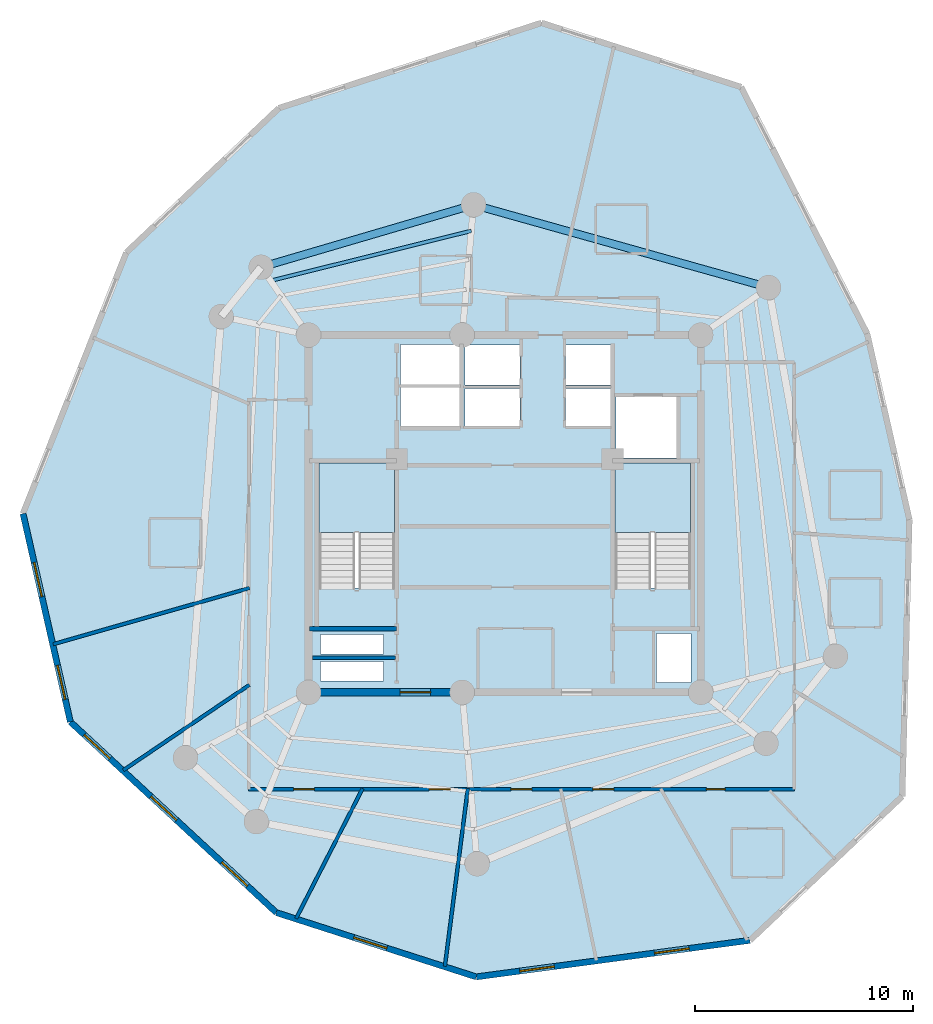
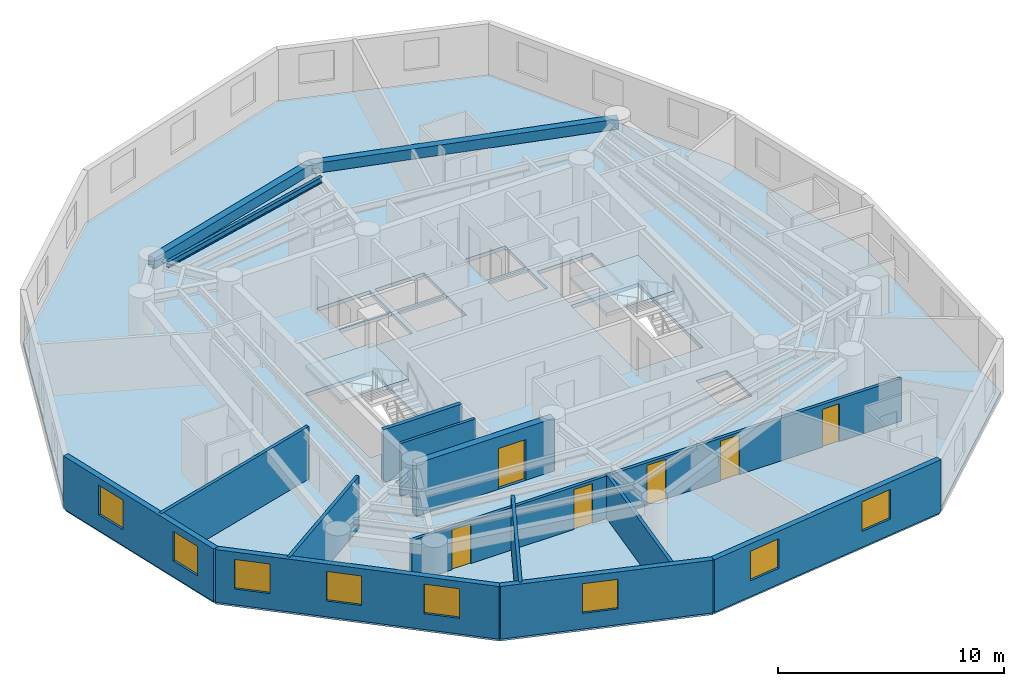
# One storey, part 2 of 7: 12 walls, 8 windows, 6 doors, 3 beams, 3 slabs, 14 openings, 2 elements without a shape of their own.
"""IFC4 building model written with IfcOpenShell, lengths in metres."""

from ifc_helpers import new_model, si_unit, direction, frame, frame_2d, origin, origin_with_axes, origin_2d, place, context, subcontext, project, spatial, polyline, rectangle, i_section, outline, extrude, source, transform, mapped, material, layer, layer_set, material_profile, profile_set, type_object, element, fill, aggregate, save


model = new_model("IFC4")

# Units and contexts
model_context = context("Model", 3, precision=1e-05, world=origin(), true_north=direction((0.0, 1.0)))
body_context = subcontext(model_context, "Body", "Model", "MODEL_VIEW")
ifc_project = project(units=[si_unit("LENGTHUNIT", "METRE"), si_unit("AREAUNIT", "SQUARE_METRE"), si_unit("VOLUMEUNIT", "CUBIC_METRE"), si_unit("PLANEANGLEUNIT", "RADIAN"), si_unit("MASSUNIT", "GRAM", prefix="KILO")], contexts=[model_context])

# Site, building, storey
site_placement = place(None, origin())
site = spatial("IfcSite", under=ifc_project, at=site_placement, CompositionType="ELEMENT")
building_placement = place(site_placement, origin())
building = spatial("IfcBuilding", under=site, at=building_placement, Name="Karkom Vertical University and Central Library", CompositionType="ELEMENT")
storey_placement = place(building_placement, frame((0.0, 0.0, 219.949951171875)))
storey = spatial("IfcBuildingStorey", under=building, at=storey_placement, Name="L64", CompositionType="ELEMENT", Elevation=219.949951171875)

# Beams
ifc_material_1 = material(Name="Precast concrete C45/55", Category="concrete")
ifc_material_profile_1 = material_profile(ifc_material_1, rectangle(XDim=0.35009765625, YDim=0.550048828125, at=origin_2d()), Name="SPB-350x550")
ifc_profile_set_1 = profile_set([ifc_material_profile_1], Name="Precast concrete C45/55")
beam_type_1 = type_object("IfcBeamType", Name="STR-BM-SP-2", PredefinedType="SPANDREL", material=ifc_profile_set_1)
shared_shape_1 = source(origin_with_axes(), body_context, "Body", "SweptSolid", [
    extrude(rectangle(XDim=0.35009765625, YDim=0.550048828125, at=origin_2d()), origin(), (0.0, 0.0, 1.0), 14.0625),
])
beam_1_placement = place(storey_placement, frame((40.613037109375, 36.8798828125, 2.574951171875), z_axis=(-0.962854853531, 0.270019501207, 0.0), x_axis=(-0.270019501207, -0.962854853531, 0.0)))
element("IfcBeam", 1, at=beam_1_placement, inside=storey, type_object=beam_type_1, Name="Level 64 Perimeter Spandrel Beam 02", PredefinedType="SPANDREL", context=body_context, shape_type="MappedRepresentation", body=[
    mapped(shared_shape_1, transform((0.0, 0.0, 0.0), scale=1.0)),
])
shared_shape_2 = source(origin_with_axes(), body_context, "Body", "SweptSolid", [
    extrude(rectangle(XDim=0.35009765625, YDim=0.550048828125, at=origin_2d()), origin(), (0.0, 0.0, 1.0), 10.164794921875),
])
beam_2_placement = place(storey_placement, frame((27.072998046875, 40.677001953125, 2.574951171875), z_axis=(-0.959485124536, -0.281759286971, 0.0), x_axis=(0.281759286971, -0.959485124536, 0.0)))
element("IfcBeam", 2, at=beam_2_placement, inside=storey, type_object=beam_type_1, Name="Level 64 Perimeter Spandrel Beam 03", PredefinedType="SPANDREL", context=body_context, shape_type="MappedRepresentation", body=[
    mapped(shared_shape_2, transform((0.0, 0.0, 0.0), scale=1.0)),
])
ifc_material_2 = material(Name="Steel S355", Category="steel")
ifc_material_profile_2 = material_profile(ifc_material_2, i_section(OverallWidth=0.159912109375, OverallDepth=0.330078125, WebThickness=0.007568359375, FlangeThickness=0.011474609375, FilletRadius=0.01806640625, at=origin_2d()), Name="IPE 330")
ifc_profile_set_2 = profile_set([ifc_material_profile_2], Name="Steel S355")
beam_type_2 = type_object("IfcBeamType", Name="STR-BM-SB-IPE330", PredefinedType="BEAM", material=ifc_profile_set_2)
shared_shape_3 = source(origin_with_axes(), body_context, "Body", "SweptSolid", [
    extrude(i_section(OverallWidth=0.159912109375, OverallDepth=0.330078125, WebThickness=0.007568359375, FlangeThickness=0.011474609375, FilletRadius=0.01806640625, at=origin_2d()), origin(), (0.0, 0.0, 1.0), 9.4931640625),
])
beam_3_placement = place(storey_placement, frame((26.968505859375, 39.481689453125, 2.68505859375), z_axis=(-0.970435275293, -0.241361505767, 0.0), x_axis=(0.241361505767, -0.970435275293, 0.0)))
element("IfcBeam", 3, at=beam_3_placement, inside=storey, type_object=beam_type_2, Name="Level 64 Secondary Composite Floor Beam 3.03", PredefinedType="BEAM", context=body_context, shape_type="MappedRepresentation", body=[
    mapped(shared_shape_3, transform((0.0, 0.0, 0.0), scale=1.0)),
])

# Stair, slab
ifc_material_3 = material(Name="Concrete C45/55", Category="concrete")
stair_type = type_object("IfcStairType", Name="INT-STR-ST-MAIN", PredefinedType="HALF_TURN_STAIR", material=ifc_material_3)
stair_1_placement = place(storey_placement, origin())
stair_1 = element("IfcStair", 4, at=stair_1_placement, inside=storey, type_object=stair_type, Name="Level 64 Tower Protected Exit Stair ST-1", PredefinedType="HALF_TURN_STAIR")
ifc_layer_1 = layer(ifc_material_3, 0.199951171875)
ifc_layer_set_1 = layer_set([ifc_layer_1], Name="Concrete C45/55")
slab_type_1 = type_object("IfcSlabType", Name="INT-SLB-LANDING", PredefinedType="LANDING", material=ifc_layer_set_1)
slab_1_placement = place(storey_placement, frame((0.0, 0.0, 1.324951171875)))
slab_1 = element("IfcSlab", 5, at=slab_1_placement, type_object=slab_type_1, Name="ST-1 landing 1", PredefinedType="LANDING", context=body_context, shape_type="SweptSolid", body=[
    extrude(outline(polyline([(23.43994140625, 25.6298828125), (23.43994140625, 28.820068359375), (19.97998046875, 28.820068359375), (19.97998046875, 25.6298828125), (23.43994140625, 25.6298828125)])), origin(), (0.0, 0.0, 1.0), 0.2001953125),
])
aggregate(stair_1, [slab_1])

stair_2_placement = place(storey_placement, origin())
stair_2 = element("IfcStair", 6, at=stair_2_placement, inside=storey, type_object=stair_type, Name="Level 64 Tower Protected Exit Stair ST-2", PredefinedType="HALF_TURN_STAIR")
slab_2_placement = place(storey_placement, frame((0.0, 0.0, 1.324951171875)))
slab_2 = element("IfcSlab", 7, at=slab_2_placement, type_object=slab_type_1, Name="ST-2 landing 1", PredefinedType="LANDING", context=body_context, shape_type="SweptSolid", body=[
    extrude(outline(polyline([(37.02001953125, 25.6298828125), (37.02001953125, 28.820068359375), (33.56005859375, 28.820068359375), (33.56005859375, 25.6298828125), (37.02001953125, 25.6298828125)])), origin(), (0.0, 0.0, 1.0), 0.2001953125),
])
aggregate(stair_2, [slab_2])

# Slab
ifc_material_4 = material(Name="Concrete C40/50", Category="concrete")
ifc_layer_2 = layer(ifc_material_4, 0.199951171875)
ifc_layer_set_2 = layer_set([ifc_layer_2], Name="Concrete C40/50")
slab_type_2 = type_object("IfcSlabType", Name="STR-SLB-FLR-200", PredefinedType="FLOOR", material=ifc_layer_set_2)
slab_3_placement = place(storey_placement, frame((0.0, 0.0, -0.199951171875)))
element("IfcSlab", 8, at=slab_3_placement, inside=storey, type_object=slab_type_2, Name="Level 64 Tower Structural Floor Slab", PredefinedType="FLOOR", context=body_context, shape_type="SweptSolid", body=[
    extrude(outline(polyline([(6.3935546875, 26.501953125), (8.564453125, 16.9462890625), (18.0185546875, 8.189453125), (27.195556640625, 5.239013671875), (39.7578125, 6.91796875), (46.743896484375, 13.529541015625), (47.0703125, 26.233154296875), (45.132080078125, 34.7646484375), (39.348876953125, 46.080078125), (30.19140625, 49.024169921875), (18.136962890625, 45.110107421875), (11.1357421875, 38.484130859375), (6.3935546875, 26.501953125)]), holes=[polyline([(19.97998046875, 23.0849609375), (23.43994140625, 23.0849609375), (23.43994140625, 28.820068359375), (19.97998046875, 28.820068359375), (19.97998046875, 23.0849609375)]), polyline([(33.56005859375, 23.0849609375), (37.02001953125, 23.0849609375), (37.02001953125, 28.820068359375), (33.56005859375, 28.820068359375), (33.56005859375, 23.0849609375)]), polyline([(26.679931640625, 30.5), (29.199951171875, 30.5), (29.199951171875, 32.25), (26.679931640625, 32.25), (26.679931640625, 30.5)]), polyline([(26.679931640625, 32.39990234375), (29.199951171875, 32.39990234375), (29.199951171875, 34.25), (26.679931640625, 34.25), (26.679931640625, 32.39990234375)]), polyline([(31.300048828125, 30.5), (33.35009765625, 30.5), (33.35009765625, 32.25), (31.300048828125, 32.25), (31.300048828125, 30.5)]), polyline([(31.300048828125, 32.39990234375), (33.35009765625, 32.39990234375), (33.35009765625, 34.25), (31.300048828125, 34.25), (31.300048828125, 32.39990234375)]), polyline([(23.719970703125, 30.47998046875), (26.429931640625, 30.47998046875), (26.429931640625, 32.320068359375), (23.719970703125, 32.320068359375), (23.719970703125, 30.47998046875)]), polyline([(23.719970703125, 32.419921875), (26.429931640625, 32.419921875), (26.429931640625, 34.260009765625), (23.719970703125, 34.260009765625), (23.719970703125, 32.419921875)]), polyline([(33.60009765625, 29.050048828125), (36.39990234375, 29.050048828125), (36.39990234375, 31.85009765625), (33.60009765625, 31.85009765625), (33.60009765625, 29.050048828125)]), polyline([(20.050048828125, 18.820068359375), (22.949951171875, 18.820068359375), (22.949951171875, 19.719970703125), (20.050048828125, 19.719970703125), (20.050048828125, 18.820068359375)]), polyline([(20.050048828125, 20.06005859375), (22.949951171875, 20.06005859375), (22.949951171875, 20.9599609375), (20.050048828125, 20.9599609375), (20.050048828125, 20.06005859375)]), polyline([(35.4599609375, 18.760009765625), (37.0400390625, 18.760009765625), (37.0400390625, 21.010009765625), (35.4599609375, 21.010009765625), (35.4599609375, 18.760009765625)])]), origin(), (0.0, 0.0, 1.0), 0.199951171875),
])

# Wall, openings, windows
ifc_material_5 = material(Name="Brick-faced precast concrete C45/55", Category="masonry")
ifc_layer_3 = layer(ifc_material_5, 0.280029296875)
ifc_layer_set_3 = layer_set([ifc_layer_3], Name="Brick-faced precast concrete C45/55")
wall_type_1 = type_object("IfcWallType", Name="ENV-WL-BRK-280", PredefinedType="SOLIDWALL", material=ifc_layer_set_3)
wall_1_placement = place(storey_placement, frame((6.3935546875, 26.501953125, 0.0), z_axis=(0.0, 0.0, 1.0), x_axis=(0.221539262032, -0.975151452534, 0.0)))
wall_1 = element("IfcWall", 9, at=wall_1_placement, inside=storey, type_object=wall_type_1, Name="Level 64 Brick-Faced Precast Facade Wall 01", PredefinedType="SOLIDWALL", context=body_context, shape_type="SweptSolid", body=[
    extrude(rectangle(XDim=9.799072265625, YDim=0.280029296875, at=frame_2d((4.8994140625, 0.0))), origin(), (0.0, 0.0, 1.0), 2.85009765625),
])
opening_1_placement = place(wall_1_placement, frame((2.30419921875, 0.0, 0.85009765625)))
opening_1 = element("IfcOpeningElement", 10, at=opening_1_placement, cuts=wall_1, Name="Opening WN-10", PredefinedType="OPENING", context=body_context, shape_type="SweptSolid", body=[
    extrude(rectangle(XDim=1.60009765625, YDim=1.60009765625, at=frame_2d((0.800048828125, 0.800048828125))), frame((0.0, 0.14990234375, 0.0), z_axis=(0.0, -1.0, 0.0), x_axis=(1.0, 0.0, 0.0)), (0.0, 0.0, 1.0), 0.300048828125),
])
opening_2_placement = place(wall_1_placement, frame((7.143798828125, 0.0, 0.85009765625)))
opening_2 = element("IfcOpeningElement", 11, at=opening_2_placement, cuts=wall_1, Name="Opening WN-10", PredefinedType="OPENING", context=body_context, shape_type="SweptSolid", body=[
    extrude(rectangle(XDim=1.60009765625, YDim=1.60009765625, at=frame_2d((0.800048828125, 0.800048828125))), frame((0.0, 0.14990234375, 0.0), z_axis=(0.0, -1.0, 0.0), x_axis=(1.0, 0.0, 0.0)), (0.0, 0.0, 1.0), 0.300048828125),
])
ifc_material_6 = material(Name="Aluminium thermal-break frame with solar-control IGU", Category="aluminium")
window_type = type_object("IfcWindowType", Name="ENV-WIN-WN-10", PartitioningType="SINGLE_PANEL", PredefinedType="WINDOW", material=ifc_material_6)
shared_shape_4 = source(origin_with_axes(), body_context, "Body", "SweptSolid", [
    extrude(rectangle(XDim=1.60009765625, YDim=1.60009765625, at=frame_2d((0.800048828125, 0.800048828125))), frame((0.0, 0.030029296875, 0.0), z_axis=(0.0, -1.0, 0.0), x_axis=(1.0, 0.0, 0.0)), (0.0, 0.0, 1.0), 0.06005859375),
])
window_1_placement = place(opening_1_placement, origin())
window_1 = element("IfcWindow", 12, at=window_1_placement, inside=storey, type_object=window_type, Name="Level 64 Punched Window 1.1", OverallHeight=1.60009765625, OverallWidth=1.60009765625, PartitioningType="SINGLE_PANEL", PredefinedType="WINDOW", context=body_context, shape_type="MappedRepresentation", body=[
    mapped(shared_shape_4, transform((0.0, 0.0, 0.0), scale=1.0)),
])
fill(opening_1, window_1)
window_2_placement = place(opening_2_placement, origin())
window_2 = element("IfcWindow", 13, at=window_2_placement, inside=storey, type_object=window_type, Name="Level 64 Punched Window 1.2", OverallHeight=1.60009765625, OverallWidth=1.60009765625, PartitioningType="SINGLE_PANEL", PredefinedType="WINDOW", context=body_context, shape_type="MappedRepresentation", body=[
    mapped(shared_shape_4, transform((0.0, 0.0, 0.0), scale=1.0)),
])
fill(opening_2, window_2)

wall_2_placement = place(storey_placement, frame((8.564453125, 16.9462890625, 0.0), z_axis=(0.0, 0.0, 1.0), x_axis=(0.733643128565, -0.679534958563, 0.0)))
wall_2 = element("IfcWall", 14, at=wall_2_placement, inside=storey, type_object=wall_type_1, Name="Level 64 Brick-Faced Precast Facade Wall 02", PredefinedType="SOLIDWALL", context=body_context, shape_type="SweptSolid", body=[
    extrude(rectangle(XDim=12.886474609375, YDim=0.280029296875, at=frame_2d((6.443359375, 0.0))), origin(), (0.0, 0.0, 1.0), 2.85009765625),
])
opening_3_placement = place(wall_2_placement, frame((0.881103515625, 0.0, 0.85009765625)))
opening_3 = element("IfcOpeningElement", 15, at=opening_3_placement, cuts=wall_2, Name="Opening WN-10", PredefinedType="OPENING", context=body_context, shape_type="SweptSolid", body=[
    extrude(rectangle(XDim=1.60009765625, YDim=1.60009765625, at=frame_2d((0.800048828125, 0.800048828125))), frame((0.0, 0.14990234375, 0.0), z_axis=(0.0, -1.0, 0.0), x_axis=(1.0, 0.0, 0.0)), (0.0, 0.0, 1.0), 0.300048828125),
])
opening_4_placement = place(wall_2_placement, frame((5.043212890625, 0.0, 0.85009765625)))
opening_4 = element("IfcOpeningElement", 16, at=opening_4_placement, cuts=wall_2, Name="Opening WN-10", PredefinedType="OPENING", context=body_context, shape_type="SweptSolid", body=[
    extrude(rectangle(XDim=1.60009765625, YDim=1.60009765625, at=frame_2d((0.800048828125, 0.800048828125))), frame((0.0, 0.14990234375, 0.0), z_axis=(0.0, -1.0, 0.0), x_axis=(1.0, 0.0, 0.0)), (0.0, 0.0, 1.0), 0.300048828125),
])
opening_5_placement = place(wall_2_placement, frame((9.4853515625, 0.0, 0.85009765625)))
opening_5 = element("IfcOpeningElement", 17, at=opening_5_placement, cuts=wall_2, Name="Opening WN-10", PredefinedType="OPENING", context=body_context, shape_type="SweptSolid", body=[
    extrude(rectangle(XDim=1.60009765625, YDim=1.60009765625, at=frame_2d((0.800048828125, 0.800048828125))), frame((0.0, 0.14990234375, 0.0), z_axis=(0.0, -1.0, 0.0), x_axis=(1.0, 0.0, 0.0)), (0.0, 0.0, 1.0), 0.300048828125),
])
window_3_placement = place(opening_3_placement, origin())
window_3 = element("IfcWindow", 18, at=window_3_placement, inside=storey, type_object=window_type, Name="Level 64 Punched Window 2.1", OverallHeight=1.60009765625, OverallWidth=1.60009765625, PartitioningType="SINGLE_PANEL", PredefinedType="WINDOW", context=body_context, shape_type="MappedRepresentation", body=[
    mapped(shared_shape_4, transform((0.0, 0.0, 0.0), scale=1.0)),
])
fill(opening_3, window_3)
window_4_placement = place(opening_4_placement, origin())
window_4 = element("IfcWindow", 19, at=window_4_placement, inside=storey, type_object=window_type, Name="Level 64 Punched Window 2.2", OverallHeight=1.60009765625, OverallWidth=1.60009765625, PartitioningType="SINGLE_PANEL", PredefinedType="WINDOW", context=body_context, shape_type="MappedRepresentation", body=[
    mapped(shared_shape_4, transform((0.0, 0.0, 0.0), scale=1.0)),
])
fill(opening_4, window_4)
window_5_placement = place(opening_5_placement, origin())
window_5 = element("IfcWindow", 20, at=window_5_placement, inside=storey, type_object=window_type, Name="Level 64 Punched Window 2.3", OverallHeight=1.60009765625, OverallWidth=1.60009765625, PartitioningType="SINGLE_PANEL", PredefinedType="WINDOW", context=body_context, shape_type="MappedRepresentation", body=[
    mapped(shared_shape_4, transform((0.0, 0.0, 0.0), scale=1.0)),
])
fill(opening_5, window_5)

# Wall, opening, window
wall_3_placement = place(storey_placement, frame((18.0185546875, 8.189453125, 0.0), z_axis=(0.0, 0.0, 1.0), x_axis=(0.95200774136, -0.306073945951, 0.0)))
wall_3 = element("IfcWall", 21, at=wall_3_placement, inside=storey, type_object=wall_type_1, Name="Level 64 Brick-Faced Precast Facade Wall 03", PredefinedType="SOLIDWALL", context=body_context, shape_type="SweptSolid", body=[
    extrude(rectangle(XDim=9.6396484375, YDim=0.280029296875, at=frame_2d((4.81982421875, 0.0))), origin(), (0.0, 0.0, 1.0), 2.85009765625),
])
opening_6_placement = place(wall_3_placement, frame((3.7333984375, 0.0, 0.85009765625)))
opening_6 = element("IfcOpeningElement", 22, at=opening_6_placement, cuts=wall_3, Name="Opening WN-10", PredefinedType="OPENING", context=body_context, shape_type="SweptSolid", body=[
    extrude(rectangle(XDim=1.60009765625, YDim=1.60009765625, at=frame_2d((0.800048828125, 0.800048828125))), frame((0.0, 0.14990234375, 0.0), z_axis=(0.0, -1.0, 0.0), x_axis=(1.0, 0.0, 0.0)), (0.0, 0.0, 1.0), 0.300048828125),
])
window_6_placement = place(opening_6_placement, origin())
window_6 = element("IfcWindow", 23, at=window_6_placement, inside=storey, type_object=window_type, Name="Level 64 Punched Window 3.1", OverallHeight=1.60009765625, OverallWidth=1.60009765625, PartitioningType="SINGLE_PANEL", PredefinedType="WINDOW", context=body_context, shape_type="MappedRepresentation", body=[
    mapped(shared_shape_4, transform((0.0, 0.0, 0.0), scale=1.0)),
])
fill(opening_6, window_6)

# Wall, openings, windows
wall_4_placement = place(storey_placement, frame((27.195556640625, 5.239013671875, 0.0), z_axis=(0.0, 0.0, 1.0), x_axis=(0.991186634331, 0.132472849758, 0.0)))
wall_4 = element("IfcWall", 24, at=wall_4_placement, inside=storey, type_object=wall_type_1, Name="Level 64 Brick-Faced Precast Facade Wall 04", PredefinedType="SOLIDWALL", context=body_context, shape_type="SweptSolid", body=[
    extrude(rectangle(XDim=12.674072265625, YDim=0.280029296875, at=frame_2d((6.3369140625, 0.0))), origin(), (0.0, 0.0, 1.0), 2.85009765625),
])
opening_7_placement = place(wall_4_placement, frame((2.011474609375, 0.0, 0.85009765625)))
opening_7 = element("IfcOpeningElement", 25, at=opening_7_placement, cuts=wall_4, Name="Opening WN-10", PredefinedType="OPENING", context=body_context, shape_type="SweptSolid", body=[
    extrude(rectangle(XDim=1.60009765625, YDim=1.60009765625, at=frame_2d((0.800048828125, 0.800048828125))), frame((0.0, 0.14990234375, 0.0), z_axis=(0.0, -1.0, 0.0), x_axis=(1.0, 0.0, 0.0)), (0.0, 0.0, 1.0), 0.300048828125),
])
opening_8_placement = place(wall_4_placement, frame((8.252197265625, 0.0, 0.85009765625)))
opening_8 = element("IfcOpeningElement", 26, at=opening_8_placement, cuts=wall_4, Name="Opening WN-10", PredefinedType="OPENING", context=body_context, shape_type="SweptSolid", body=[
    extrude(rectangle(XDim=1.60009765625, YDim=1.60009765625, at=frame_2d((0.800048828125, 0.800048828125))), frame((0.0, 0.14990234375, 0.0), z_axis=(0.0, -1.0, 0.0), x_axis=(1.0, 0.0, 0.0)), (0.0, 0.0, 1.0), 0.300048828125),
])
window_7_placement = place(opening_7_placement, origin())
window_7 = element("IfcWindow", 27, at=window_7_placement, inside=storey, type_object=window_type, Name="Level 64 Punched Window 4.1", OverallHeight=1.60009765625, OverallWidth=1.60009765625, PartitioningType="SINGLE_PANEL", PredefinedType="WINDOW", context=body_context, shape_type="MappedRepresentation", body=[
    mapped(shared_shape_4, transform((0.0, 0.0, 0.0), scale=1.0)),
])
fill(opening_7, window_7)
window_8_placement = place(opening_8_placement, origin())
window_8 = element("IfcWindow", 28, at=window_8_placement, inside=storey, type_object=window_type, Name="Level 64 Punched Window 4.2", OverallHeight=1.60009765625, OverallWidth=1.60009765625, PartitioningType="SINGLE_PANEL", PredefinedType="WINDOW", context=body_context, shape_type="MappedRepresentation", body=[
    mapped(shared_shape_4, transform((0.0, 0.0, 0.0), scale=1.0)),
])
fill(opening_8, window_8)

# Wall, openings, doors
ifc_material_7 = material(Name="Insulated metal-stud drywall 160mm", Category="gypsum")
ifc_layer_4 = layer(ifc_material_7, 0.159912109375)
ifc_layer_set_4 = layer_set([ifc_layer_4], Name="Insulated metal-stud drywall 160mm")
wall_type_2 = type_object("IfcWallType", Name="INT-WL-COR-160", PredefinedType="PARTITIONING", material=ifc_layer_set_4)
wall_5_placement = place(storey_placement, frame((41.800048828125, 13.85009765625, 0.0), z_axis=(0.0, 0.0, 1.0), x_axis=(-1.0, 0.0, 0.0)))
wall_5 = element("IfcWall", 29, at=wall_5_placement, inside=storey, type_object=wall_type_2, Name="Level 64 Interior Partition Wall L64-CORW-CW-001", PredefinedType="PARTITIONING", context=body_context, shape_type="SweptSolid", body=[
    extrude(rectangle(XDim=25.050048828125, YDim=0.159912109375, at=frame_2d((12.52490234375, 0.0))), origin(), (0.0, 0.0, 1.0), 2.300048828125),
])
opening_9_placement = place(wall_5_placement, frame((22.030029296875, 0.0, 0.0)))
opening_9 = element("IfcOpeningElement", 30, at=opening_9_placement, cuts=wall_5, Name="Opening FD-RM2", PredefinedType="OPENING", context=body_context, shape_type="SweptSolid", body=[
    extrude(rectangle(XDim=0.9599609375, YDim=2.14990234375, at=frame_2d((0.47998046875, 1.074951171875))), frame((0.0, 0.08984375, 0.0), z_axis=(0.0, -1.0, 0.0), x_axis=(1.0, 0.0, 0.0)), (0.0, 0.0, 1.0), 0.179931640625),
])
opening_10_placement = place(wall_5_placement, frame((15.8076171875, 0.0, 0.0)))
opening_10 = element("IfcOpeningElement", 31, at=opening_10_placement, cuts=wall_5, Name="Opening FD-RM2", PredefinedType="OPENING", context=body_context, shape_type="SweptSolid", body=[
    extrude(rectangle(XDim=0.9599609375, YDim=2.14990234375, at=frame_2d((0.47998046875, 1.074951171875))), frame((0.0, 0.08984375, 0.0), z_axis=(0.0, -1.0, 0.0), x_axis=(1.0, 0.0, 0.0)), (0.0, 0.0, 1.0), 0.179931640625),
])
opening_11_placement = place(wall_5_placement, frame((12.050048828125, 0.0, 0.0)))
opening_11 = element("IfcOpeningElement", 32, at=opening_11_placement, cuts=wall_5, Name="Opening FD-RM2", PredefinedType="OPENING", context=body_context, shape_type="SweptSolid", body=[
    extrude(rectangle(XDim=0.9599609375, YDim=2.14990234375, at=frame_2d((0.47998046875, 1.074951171875))), frame((0.0, 0.08984375, 0.0), z_axis=(0.0, -1.0, 0.0), x_axis=(1.0, 0.0, 0.0)), (0.0, 0.0, 1.0), 0.179931640625),
])
opening_12_placement = place(wall_5_placement, frame((8.29248046875, 0.0, 0.0)))
opening_12 = element("IfcOpeningElement", 33, at=opening_12_placement, cuts=wall_5, Name="Opening FD-RM2", PredefinedType="OPENING", context=body_context, shape_type="SweptSolid", body=[
    extrude(rectangle(XDim=0.9599609375, YDim=2.14990234375, at=frame_2d((0.47998046875, 1.074951171875))), frame((0.0, 0.08984375, 0.0), z_axis=(0.0, -1.0, 0.0), x_axis=(1.0, 0.0, 0.0)), (0.0, 0.0, 1.0), 0.179931640625),
])
opening_13_placement = place(wall_5_placement, frame((3.184326171875, 0.0, 0.0)))
opening_13 = element("IfcOpeningElement", 34, at=opening_13_placement, cuts=wall_5, Name="Opening FD-BTH2", PredefinedType="OPENING", context=body_context, shape_type="SweptSolid", body=[
    extrude(rectangle(XDim=0.860107421875, YDim=2.0400390625, at=frame_2d((0.43017578125, 1.02001953125))), frame((0.0, 0.08984375, 0.0), z_axis=(0.0, -1.0, 0.0), x_axis=(1.0, 0.0, 0.0)), (0.0, 0.0, 1.0), 0.179931640625),
])
ifc_material_8 = material(Name="Fire-rated oak veneer door", Category="wood")
door_type_1 = type_object("IfcDoorType", Name="INT-DR-FRM2", OperationType="NOTDEFINED", PredefinedType="DOOR", material=ifc_material_8)
shared_shape_5 = source(origin_with_axes(), body_context, "Body", "SweptSolid", [
    extrude(rectangle(XDim=0.9599609375, YDim=2.14990234375, at=frame_2d((0.47998046875, 1.074951171875))), frame((0.0, 0.02490234375, 0.0), z_axis=(0.0, -1.0, 0.0), x_axis=(1.0, 0.0, 0.0)), (0.0, 0.0, 1.0), 0.050048828125),
])
door_1_placement = place(opening_9_placement, origin())
door_1 = element("IfcDoor", 35, at=door_1_placement, inside=storey, type_object=door_type_1, Name="Level 64 Room Entry Door 301", OperationType="SINGLE_SWING_RIGHT", OverallHeight=2.14990234375, OverallWidth=0.9599609375, PredefinedType="DOOR", context=body_context, shape_type="MappedRepresentation", body=[
    mapped(shared_shape_5, transform((0.0, 0.0, 0.0), scale=1.0)),
])
fill(opening_9, door_1)
door_2_placement = place(opening_10_placement, origin())
door_2 = element("IfcDoor", 36, at=door_2_placement, inside=storey, type_object=door_type_1, Name="Level 64 Room Entry Door 302", OperationType="SINGLE_SWING_LEFT", OverallHeight=2.14990234375, OverallWidth=0.9599609375, PredefinedType="DOOR", context=body_context, shape_type="MappedRepresentation", body=[
    mapped(shared_shape_5, transform((0.0, 0.0, 0.0), scale=1.0)),
])
fill(opening_10, door_2)
door_3_placement = place(opening_11_placement, origin())
door_3 = element("IfcDoor", 37, at=door_3_placement, inside=storey, type_object=door_type_1, Name="Level 64 Room Entry Door 303", OperationType="SINGLE_SWING_RIGHT", OverallHeight=2.14990234375, OverallWidth=0.9599609375, PredefinedType="DOOR", context=body_context, shape_type="MappedRepresentation", body=[
    mapped(shared_shape_5, transform((0.0, 0.0, 0.0), scale=1.0)),
])
fill(opening_11, door_3)
door_4_placement = place(opening_12_placement, origin())
door_4 = element("IfcDoor", 38, at=door_4_placement, inside=storey, type_object=door_type_1, Name="Level 64 Room Entry Door 304", OperationType="SINGLE_SWING_LEFT", OverallHeight=2.14990234375, OverallWidth=0.9599609375, PredefinedType="DOOR", context=body_context, shape_type="MappedRepresentation", body=[
    mapped(shared_shape_5, transform((0.0, 0.0, 0.0), scale=1.0)),
])
fill(opening_12, door_4)
ifc_material_9 = material(Name="Fire-rated moisture-resistant oak door", Category="wood")
door_type_2 = type_object("IfcDoorType", Name="INT-DR-FBTH2", OperationType="NOTDEFINED", PredefinedType="DOOR", material=ifc_material_9)
shared_shape_6 = source(origin_with_axes(), body_context, "Body", "SweptSolid", [
    extrude(rectangle(XDim=0.860107421875, YDim=2.0400390625, at=frame_2d((0.43017578125, 1.02001953125))), frame((0.0, 0.02490234375, 0.0), z_axis=(0.0, -1.0, 0.0), x_axis=(1.0, 0.0, 0.0)), (0.0, 0.0, 1.0), 0.050048828125),
])
door_5_placement = place(opening_13_placement, origin())
door_5 = element("IfcDoor", 39, at=door_5_placement, inside=storey, type_object=door_type_2, Name="Level 64 Flat L64-06 One-Bedroom Apartment Bedroom Entry Door", OperationType="SINGLE_SWING_RIGHT", OverallHeight=2.0400390625, OverallWidth=0.860107421875, PredefinedType="DOOR", context=body_context, shape_type="MappedRepresentation", body=[
    mapped(shared_shape_6, transform((0.0, 0.0, 0.0), scale=1.0)),
])
fill(opening_13, door_5)

# Walls
wall_6_placement = place(storey_placement, frame((7.780517578125, 20.510009765625, 0.0), z_axis=(0.0, 0.0, 1.0), x_axis=(0.961423640537, 0.275071960433, 0.0)))
element("IfcWall", 40, at=wall_6_placement, inside=storey, type_object=wall_type_2, Name="Level 64 Interior Partition Wall L64-PW-002", PredefinedType="PARTITIONING", context=body_context, shape_type="SweptSolid", body=[
    extrude(rectangle(XDim=9.374267578125, YDim=0.159912109375, at=frame_2d((4.68701171875, 0.0))), origin(), (0.0, 0.0, 1.0), 2.85009765625),
])
wall_7_placement = place(storey_placement, frame((26.811279296875, 13.894775390625, 0.0), z_axis=(0.0, 0.0, 1.0), x_axis=(-0.128095527958, -0.99176183417, 0.0)))
element("IfcWall", 41, at=wall_7_placement, inside=storey, type_object=wall_type_2, Name="Level 64 Interior Partition Wall L64-PW-004", PredefinedType="PARTITIONING", context=body_context, shape_type="SweptSolid", body=[
    extrude(rectangle(XDim=8.233642578125, YDim=0.159912109375, at=frame_2d((4.11669921875, 0.0))), origin(), (0.0, 0.0, 1.0), 2.35009765625),
])
wall_8_placement = place(storey_placement, frame((16.787109375, 18.64501953125, 0.0), z_axis=(0.0, 0.0, 1.0), x_axis=(-0.828133669323, -0.560530664401, 0.0)))
element("IfcWall", 42, at=wall_8_placement, inside=storey, type_object=wall_type_2, Name="Level 64 Interior Partition Wall L64-PW-001", PredefinedType="PARTITIONING", context=body_context, shape_type="SweptSolid", body=[
    extrude(rectangle(XDim=6.9892578125, YDim=0.159912109375, at=frame_2d((3.49462890625, 0.0))), origin(), (0.0, 0.0, 1.0), 2.85009765625),
])
wall_9_placement = place(storey_placement, frame((21.981201171875, 13.89013671875, 0.0), z_axis=(0.0, 0.0, 1.0), x_axis=(-0.455471104302, -0.890250567619, 0.0)))
element("IfcWall", 43, at=wall_9_placement, inside=storey, type_object=wall_type_2, Name="Level 64 Interior Partition Wall L64-PW-003", PredefinedType="PARTITIONING", context=body_context, shape_type="SweptSolid", body=[
    extrude(rectangle(XDim=6.701904296875, YDim=0.159912109375, at=frame_2d((3.35107421875, 0.0))), origin(), (0.0, 0.0, 1.0), 2.85009765625),
])
ifc_material_10 = material(Name="Metal-stud gypsum partition 140mm", Category="gypsum")
ifc_layer_5 = layer(ifc_material_10, 0.139892578125)
ifc_layer_set_5 = layer_set([ifc_layer_5], Name="Metal-stud gypsum partition 140mm")
wall_type_3 = type_object("IfcWallType", Name="INT-WL-SUB-140H", PredefinedType="PARTITIONING", material=ifc_layer_set_5)
wall_10_placement = place(storey_placement, frame((19.681884765625, 19.889892578125, 0.0), z_axis=(0.0, 0.0, 1.0), x_axis=(1.0, 0.0, 0.0)))
element("IfcWall", 44, at=wall_10_placement, inside=storey, type_object=wall_type_3, Name="Level 64 Interior Partition Wall L64-CW-RIS-W", PredefinedType="PARTITIONING", context=body_context, shape_type="SweptSolid", body=[
    extrude(rectangle(XDim=3.8154296875, YDim=0.139892578125, at=frame_2d((1.90771484375, 0.0))), origin(), (0.0, 0.0, 1.0), 2.85009765625),
])

# Wall, opening, door
ifc_layer_6 = layer(ifc_material_3, 0.35009765625)
ifc_layer_set_6 = layer_set([ifc_layer_6], Name="Concrete C45/55")
wall_type_4 = type_object("IfcWallType", Name="STR-WL-CW-350", PredefinedType="SHEAR", material=ifc_layer_set_6)
wall_11_placement = place(storey_placement, frame((19.5, 18.300048828125, 0.0), z_axis=(0.0, 0.0, 1.0), x_axis=(1.0, 0.0, 0.0)))
wall_11 = element("IfcWall", 45, at=wall_11_placement, inside=storey, type_object=wall_type_4, Name="Level 64 Central Core Shear Wall SW1", PredefinedType="SHEAR", context=body_context, shape_type="SweptSolid", body=[
    extrude(rectangle(XDim=7.050048828125, YDim=0.35009765625, at=frame_2d((3.52490234375, 0.0))), origin(), (0.0, 0.0, 1.0), 2.85009765625),
])
opening_14_placement = place(wall_11_placement, frame((4.199951171875, 0.0, 0.0)))
opening_14 = element("IfcOpeningElement", 46, at=opening_14_placement, cuts=wall_11, Name="Opening FD-CLB", PredefinedType="OPENING", context=body_context, shape_type="SweptSolid", body=[
    extrude(rectangle(XDim=1.39990234375, YDim=2.199951171875, at=frame_2d((0.699951171875, 1.10009765625))), frame((0.0, 0.18505859375, 0.0), z_axis=(0.0, -1.0, 0.0), x_axis=(1.0, 0.0, 0.0)), (0.0, 0.0, 1.0), 0.3701171875),
])
ifc_material_11 = material(Name="Painted steel fire door", Category="steel")
door_type_3 = type_object("IfcDoorType", Name="INT-DR-CLB", OperationType="DOUBLE_DOOR_SINGLE_SWING", PredefinedType="DOOR", material=ifc_material_11)
shared_shape_7 = source(origin_with_axes(), body_context, "Body", "SweptSolid", [
    extrude(rectangle(XDim=1.39990234375, YDim=2.199951171875, at=frame_2d((0.699951171875, 1.10009765625))), frame((0.0, 0.02490234375, 0.0), z_axis=(0.0, -1.0, 0.0), x_axis=(1.0, 0.0, 0.0)), (0.0, 0.0, 1.0), 0.050048828125),
])
door_6_placement = place(opening_14_placement, origin())
door_6 = element("IfcDoor", 47, at=door_6_placement, inside=storey, type_object=door_type_3, Name="Level 64 South Core Lobby West Exit Door", OperationType="DOUBLE_DOOR_SINGLE_SWING", OverallHeight=2.199951171875, OverallWidth=1.39990234375, PredefinedType="DOOR", context=body_context, shape_type="MappedRepresentation", body=[
    mapped(shared_shape_7, transform((0.0, 0.0, 0.0), scale=1.0)),
])
fill(opening_14, door_6)

# Wall
ifc_layer_7 = layer(ifc_material_3, 0.199951171875)
ifc_layer_set_7 = layer_set([ifc_layer_7], Name="Concrete C45/55")
wall_type_5 = type_object("IfcWallType", Name="STR-WL-ST-200", PredefinedType="SHEAR", material=ifc_layer_set_7)
wall_12_placement = place(storey_placement, frame((19.550048828125, 21.215087890625, 0.0), z_axis=(0.0, 0.0, 1.0), x_axis=(1.0, 0.0, 0.0)))
element("IfcWall", 48, at=wall_12_placement, inside=storey, type_object=wall_type_5, Name="Level 64 Core Shaft Wall L64-CW-ST1-S", PredefinedType="SHEAR", context=body_context, shape_type="SweptSolid", body=[
    extrude(rectangle(XDim=3.994873046875, YDim=0.199951171875, at=frame_2d((1.99755859375, 0.0))), origin(), (0.0, 0.0, 1.0), 2.85009765625),
])

save(model, "model.ifc")
